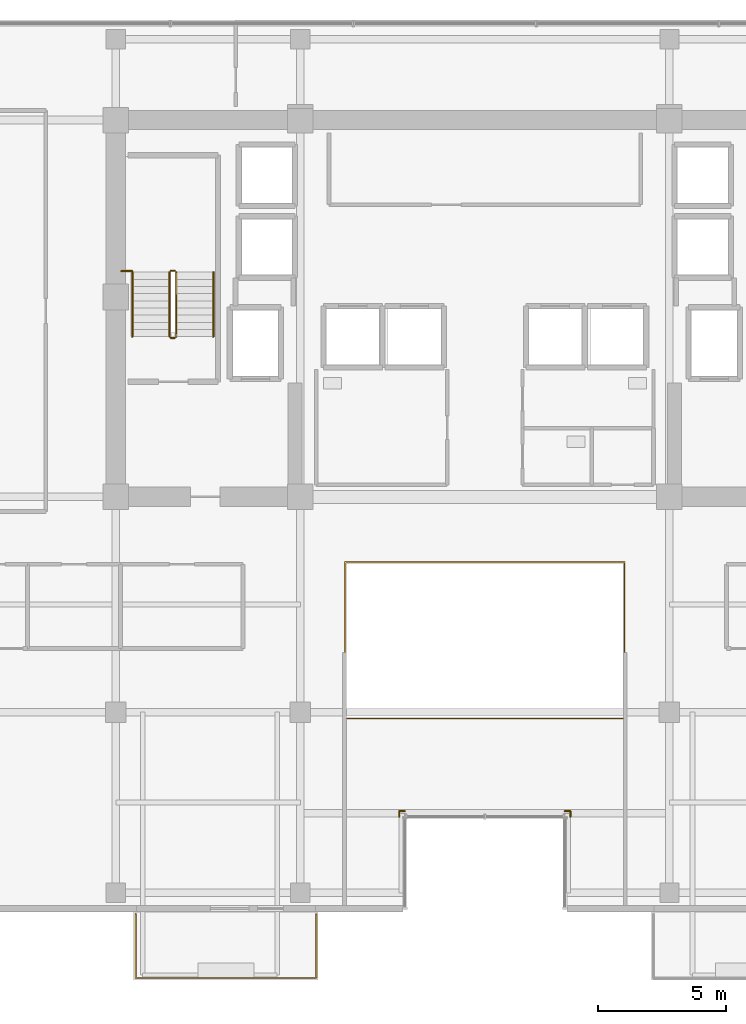
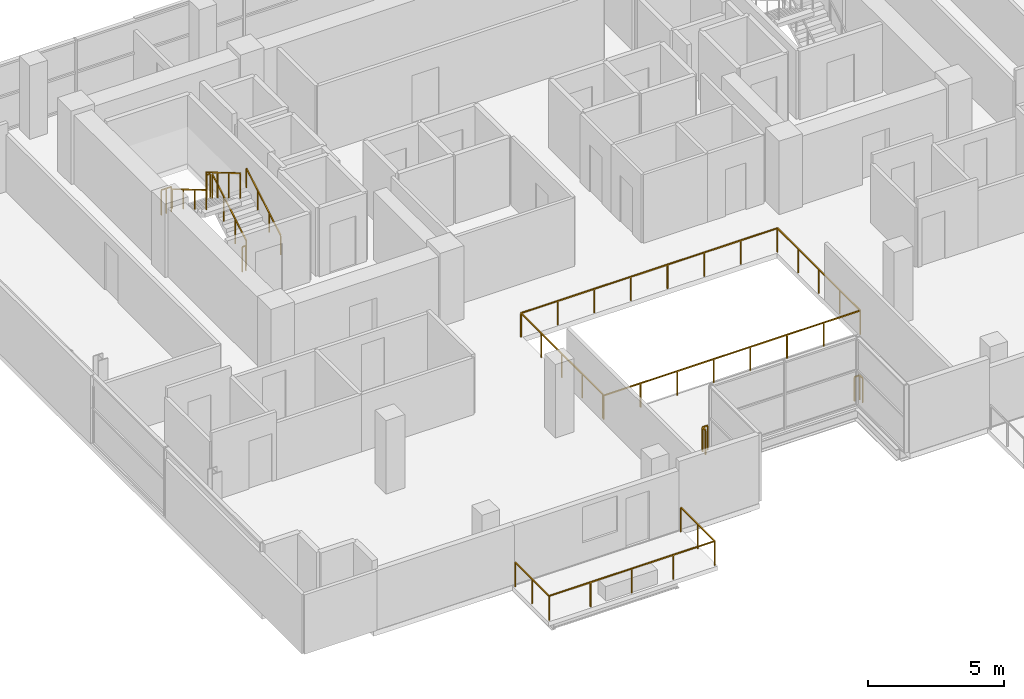
# One storey, part 19 of 21: 13 railings.
"""IFC4 building model written with IfcOpenShell, lengths in metres."""

from ifc_helpers import new_model, si_unit, direction, frame, origin, origin_2d, place, context, subcontext, project, spatial, rectangle, extrude, material, type_object, element, save


model = new_model("IFC4")

# Units and contexts
model_context = context("Model", 3, precision=1e-05, world=origin(), true_north=direction((0.0, 1.0)))
body_context = subcontext(model_context, "Body", "Model", "MODEL_VIEW")
ifc_project = project(units=[si_unit("LENGTHUNIT", "METRE"), si_unit("AREAUNIT", "SQUARE_METRE"), si_unit("VOLUMEUNIT", "CUBIC_METRE"), si_unit("PLANEANGLEUNIT", "RADIAN"), si_unit("MASSUNIT", "GRAM", prefix="KILO")], contexts=[model_context])

# Site, building, storey
site_placement = place(None, origin())
site = spatial("IfcSite", under=ifc_project, at=site_placement, CompositionType="ELEMENT")
building_placement = place(site_placement, origin())
building = spatial("IfcBuilding", under=site, at=building_placement, Name="Zarnakvel Exchange Tower", CompositionType="ELEMENT")
storey_placement = place(building_placement, frame((0.0, 0.0, 189.10009765625)))
storey = spatial("IfcBuildingStorey", under=building, at=storey_placement, Name="L53", CompositionType="ELEMENT", Elevation=189.10009765625)

# Railings
ifc_material_1 = material(Name="Architectural Bronze Anodised Aluminium", Category="aluminium")
railing_type_1 = type_object("IfcRailingType", Name="GR-02", PredefinedType="GUARDRAIL", material=ifc_material_1)
railing_1_placement = place(storey_placement, frame((-13.6201171875, -17.47998046875, -0.03515625)))
element("IfcRailing", 1, at=railing_1_placement, inside=storey, type_object=railing_type_1, Name="L53 Balcony Guardrail BAL-L53-SW", PredefinedType="GUARDRAIL", context=body_context, shape_type="SweptSolid", body=[
    extrude(rectangle(XDim=0.048095703125, YDim=0.048095703125, at=origin_2d()), frame((0.0, 0.0, 1.09619140625), z_axis=(0.0, -1.0, 0.0), x_axis=(1.0, 0.0, 0.0)), (0.0, 0.0, 1.0), 2.489990234375),
    extrude(rectangle(XDim=0.048095703125, YDim=0.048095703125, at=origin_2d()), frame((0.0, -2.489990234375, 1.09619140625), z_axis=(1.0, 0.0, 0.0), x_axis=(0.0, 1.0, 0.0)), (0.0, 0.0, 1.0), 7.0400390625),
    extrude(rectangle(XDim=0.048095703125, YDim=0.048095703125, at=origin_2d()), frame((7.0400390625, -2.489990234375, 1.09619140625), z_axis=(0.0, 1.0, 0.0), x_axis=(-1.0, 0.0, 0.0)), (0.0, 0.0, 1.0), 2.489990234375),
    extrude(rectangle(XDim=0.0419921875, YDim=0.0419921875, at=origin_2d()), origin(), (0.0, 0.0, 1.0), 1.072021484375),
    extrude(rectangle(XDim=0.0419921875, YDim=0.0419921875, at=origin_2d()), frame((0.0, -1.2451171875, 0.0)), (0.0, 0.0, 1.0), 1.072021484375),
    extrude(rectangle(XDim=0.0419921875, YDim=0.0419921875, at=origin_2d()), frame((0.0, -2.489990234375, 0.0)), (0.0, 0.0, 1.0), 1.072021484375),
    extrude(rectangle(XDim=0.0419921875, YDim=0.0419921875, at=origin_2d()), frame((1.760009765625, -2.489990234375, 0.0)), (0.0, 0.0, 1.0), 1.072021484375),
    extrude(rectangle(XDim=0.0419921875, YDim=0.0419921875, at=origin_2d()), frame((3.52001953125, -2.489990234375, 0.0)), (0.0, 0.0, 1.0), 1.072021484375),
    extrude(rectangle(XDim=0.0419921875, YDim=0.0419921875, at=origin_2d()), frame((5.280029296875, -2.489990234375, 0.0)), (0.0, 0.0, 1.0), 1.072021484375),
    extrude(rectangle(XDim=0.0419921875, YDim=0.0419921875, at=origin_2d()), frame((7.0400390625, -2.489990234375, 0.0)), (0.0, 0.0, 1.0), 1.072021484375),
    extrude(rectangle(XDim=0.0419921875, YDim=0.0419921875, at=origin_2d()), frame((7.0400390625, -1.2451171875, 0.0)), (0.0, 0.0, 1.0), 1.072021484375),
    extrude(rectangle(XDim=0.0419921875, YDim=0.0419921875, at=origin_2d()), frame((7.0400390625, 0.0, 0.0)), (0.0, 0.0, 1.0), 1.072021484375),
])
railing_2_placement = place(storey_placement, frame((3.340087890625, -13.679931640625, 0.0)))
element("IfcRailing", 2, at=railing_2_placement, inside=storey, type_object=railing_type_1, Name="L53 Corner Spandrel Balustrade #17", PredefinedType="GUARDRAIL", context=body_context, shape_type="SweptSolid", body=[
    extrude(rectangle(XDim=0.048095703125, YDim=0.048095703125, at=origin_2d()), frame((0.0, 0.0, 1.09619140625), z_axis=(0.0, 1.0, 0.0), x_axis=(-1.0, 0.0, 0.0)), (0.0, 0.0, 1.0), 0.219970703125),
    extrude(rectangle(XDim=0.0419921875, YDim=0.0419921875, at=origin_2d()), origin(), (0.0, 0.0, 1.0), 1.072021484375),
    extrude(rectangle(XDim=0.0419921875, YDim=0.0419921875, at=origin_2d()), frame((0.0, 0.219970703125, 0.0)), (0.0, 0.0, 1.0), 1.072021484375),
])
for number, where, name in (
    (3, (3.340087890625, -13.4599609375, 0.0), "L53 Corner Spandrel Balustrade #18"),
    (4, (-3.1201171875, -13.4599609375, 0.0), "L53 Corner Spandrel Balustrade #19"),
):
    element("IfcRailing", number, at=place(storey_placement, frame(where)), inside=storey, type_object=railing_type_1, Name=name, PredefinedType="GUARDRAIL", context=body_context, shape_type="SweptSolid", body=[
        extrude(rectangle(XDim=0.048095703125, YDim=0.048095703125, at=origin_2d()), frame((0.0, 0.0, 1.09619140625), z_axis=(-1.0, 0.0, 0.0), x_axis=(0.0, -1.0, 0.0)), (0.0, 0.0, 1.0), 0.219970703125),
        extrude(rectangle(XDim=0.0419921875, YDim=0.0419921875, at=origin_2d()), origin(), (0.0, 0.0, 1.0), 1.072021484375),
        extrude(rectangle(XDim=0.0419921875, YDim=0.0419921875, at=origin_2d()), frame((-0.219970703125, 0.0, 0.0)), (0.0, 0.0, 1.0), 1.072021484375),
    ])
railing_3_placement = place(storey_placement, frame((-3.340087890625, -13.4599609375, 0.0)))
element("IfcRailing", 5, at=railing_3_placement, inside=storey, type_object=railing_type_1, Name="L53 Corner Spandrel Balustrade #20", PredefinedType="GUARDRAIL", context=body_context, shape_type="SweptSolid", body=[
    extrude(rectangle(XDim=0.048095703125, YDim=0.048095703125, at=origin_2d()), frame((0.0, 0.0, 1.09619140625), z_axis=(0.0, -1.0, 0.0), x_axis=(1.0, 0.0, 0.0)), (0.0, 0.0, 1.0), 0.219970703125),
    extrude(rectangle(XDim=0.0419921875, YDim=0.0419921875, at=origin_2d()), origin(), (0.0, 0.0, 1.0), 1.072021484375),
    extrude(rectangle(XDim=0.0419921875, YDim=0.0419921875, at=origin_2d()), frame((0.0, -0.219970703125, 0.0)), (0.0, 0.0, 1.0), 1.072021484375),
])
railing_type_2 = type_object("IfcRailingType", Name="GR-03", PredefinedType="GUARDRAIL", material=ifc_material_1)
railing_4_placement = place(storey_placement, frame((-5.449951171875, -9.85009765625, 0.0)))
element("IfcRailing", 6, at=railing_4_placement, inside=storey, type_object=railing_type_2, Name="L53 Atrium Void Perimeter Balustrade", PredefinedType="GUARDRAIL", context=body_context, shape_type="SweptSolid", body=[
    extrude(rectangle(XDim=0.048095703125, YDim=0.048095703125, at=origin_2d()), frame((0.0, 0.0, 1.076171875), z_axis=(1.0, 0.0, 0.0), x_axis=(0.0, 1.0, 0.0)), (0.0, 0.0, 1.0), 10.89990234375),
    extrude(rectangle(XDim=0.048095703125, YDim=0.048095703125, at=origin_2d()), frame((10.89990234375, 0.0, 1.076171875), z_axis=(0.0, 1.0, 0.0), x_axis=(-1.0, 0.0, 0.0)), (0.0, 0.0, 1.0), 6.10009765625),
    extrude(rectangle(XDim=0.048095703125, YDim=0.048095703125, at=origin_2d()), frame((10.89990234375, 6.10009765625, 1.076171875), z_axis=(-1.0, 0.0, 0.0), x_axis=(0.0, -1.0, 0.0)), (0.0, 0.0, 1.0), 10.89990234375),
    extrude(rectangle(XDim=0.048095703125, YDim=0.048095703125, at=origin_2d()), frame((0.0, 6.10009765625, 1.076171875), z_axis=(0.0, -1.0, 0.0), x_axis=(1.0, 0.0, 0.0)), (0.0, 0.0, 1.0), 6.02001953125),
    extrude(rectangle(XDim=0.0419921875, YDim=0.0419921875, at=origin_2d()), origin(), (0.0, 0.0, 1.0), 1.052001953125),
    extrude(rectangle(XDim=0.0419921875, YDim=0.0419921875, at=origin_2d()), frame((1.55712890625, 0.0, 0.0)), (0.0, 0.0, 1.0), 1.052001953125),
    extrude(rectangle(XDim=0.0419921875, YDim=0.0419921875, at=origin_2d()), frame((3.1142578125, 0.0, 0.0)), (0.0, 0.0, 1.0), 1.052001953125),
    extrude(rectangle(XDim=0.0419921875, YDim=0.0419921875, at=origin_2d()), frame((4.67138671875, 0.0, 0.0)), (0.0, 0.0, 1.0), 1.052001953125),
    extrude(rectangle(XDim=0.0419921875, YDim=0.0419921875, at=origin_2d()), frame((6.228515625, 0.0, 0.0)), (0.0, 0.0, 1.0), 1.052001953125),
    extrude(rectangle(XDim=0.0419921875, YDim=0.0419921875, at=origin_2d()), frame((7.78564453125, 0.0, 0.0)), (0.0, 0.0, 1.0), 1.052001953125),
    extrude(rectangle(XDim=0.0419921875, YDim=0.0419921875, at=origin_2d()), frame((9.3427734375, 0.0, 0.0)), (0.0, 0.0, 1.0), 1.052001953125),
    extrude(rectangle(XDim=0.0419921875, YDim=0.0419921875, at=origin_2d()), frame((10.89990234375, 0.0, 0.0)), (0.0, 0.0, 1.0), 1.052001953125),
    extrude(rectangle(XDim=0.0419921875, YDim=0.0419921875, at=origin_2d()), frame((10.89990234375, 1.52490234375, 0.0)), (0.0, 0.0, 1.0), 1.052001953125),
    extrude(rectangle(XDim=0.0419921875, YDim=0.0419921875, at=origin_2d()), frame((10.89990234375, 3.050048828125, 0.0)), (0.0, 0.0, 1.0), 1.052001953125),
    extrude(rectangle(XDim=0.0419921875, YDim=0.0419921875, at=origin_2d()), frame((10.89990234375, 4.5751953125, 0.0)), (0.0, 0.0, 1.0), 1.052001953125),
    extrude(rectangle(XDim=0.0419921875, YDim=0.0419921875, at=origin_2d()), frame((10.89990234375, 6.10009765625, 0.0)), (0.0, 0.0, 1.0), 1.052001953125),
    extrude(rectangle(XDim=0.0419921875, YDim=0.0419921875, at=origin_2d()), frame((9.3427734375, 6.10009765625, 0.0)), (0.0, 0.0, 1.0), 1.052001953125),
    extrude(rectangle(XDim=0.0419921875, YDim=0.0419921875, at=origin_2d()), frame((7.78564453125, 6.10009765625, 0.0)), (0.0, 0.0, 1.0), 1.052001953125),
    extrude(rectangle(XDim=0.0419921875, YDim=0.0419921875, at=origin_2d()), frame((6.228515625, 6.10009765625, 0.0)), (0.0, 0.0, 1.0), 1.052001953125),
    extrude(rectangle(XDim=0.0419921875, YDim=0.0419921875, at=origin_2d()), frame((4.67138671875, 6.10009765625, 0.0)), (0.0, 0.0, 1.0), 1.052001953125),
    extrude(rectangle(XDim=0.0419921875, YDim=0.0419921875, at=origin_2d()), frame((3.1142578125, 6.10009765625, 0.0)), (0.0, 0.0, 1.0), 1.052001953125),
    extrude(rectangle(XDim=0.0419921875, YDim=0.0419921875, at=origin_2d()), frame((1.55712890625, 6.10009765625, 0.0)), (0.0, 0.0, 1.0), 1.052001953125),
    extrude(rectangle(XDim=0.0419921875, YDim=0.0419921875, at=origin_2d()), frame((0.0, 6.10009765625, 0.0)), (0.0, 0.0, 1.0), 1.052001953125),
    extrude(rectangle(XDim=0.0419921875, YDim=0.0419921875, at=origin_2d()), frame((0.0, 4.59521484375, 0.0)), (0.0, 0.0, 1.0), 1.052001953125),
    extrude(rectangle(XDim=0.0419921875, YDim=0.0419921875, at=origin_2d()), frame((0.0, 3.090087890625, 0.0)), (0.0, 0.0, 1.0), 1.052001953125),
    extrude(rectangle(XDim=0.0419921875, YDim=0.0419921875, at=origin_2d()), frame((0.0, 1.5849609375, 0.0)), (0.0, 0.0, 1.0), 1.052001953125),
    extrude(rectangle(XDim=0.0419921875, YDim=0.0419921875, at=origin_2d()), frame((0.0, 0.080078125, 0.0)), (0.0, 0.0, 1.0), 1.052001953125),
])
ifc_material_2 = material(Name="Brushed Stainless Steel", Category="steel")
railing_type_3 = type_object("IfcRailingType", Name="HR-01", PredefinedType="HANDRAIL", material=ifc_material_2)
railing_5_placement = place(storey_placement, frame((-10.590087890625, 5.050048828125, 0.164794921875)))
element("IfcRailing", 7, at=railing_5_placement, inside=storey, type_object=railing_type_3, Name="L53 ST-01 stair handrail 1", PredefinedType="HANDRAIL", context=body_context, shape_type="SweptSolid", body=[
    extrude(rectangle(XDim=0.048095703125, YDim=0.048095703125, at=origin_2d()), frame((0.0, 0.0, 0.8759765625), z_axis=(0.0, 0.86152411907, 0.507716645641), x_axis=(-1.0, 0.0, 0.0)), (0.0, 0.0, 1.0), 2.925048828125),
    extrude(rectangle(XDim=0.0419921875, YDim=0.0419921875, at=origin_2d()), origin(), (0.0, 0.0, 1.0), 0.851806640625),
    extrude(rectangle(XDim=0.0419921875, YDim=0.0419921875, at=origin_2d()), frame((0.0, 0.840087890625, 0.4951171875)), (0.0, 0.0, 1.0), 0.851806640625),
    extrude(rectangle(XDim=0.0419921875, YDim=0.0419921875, at=origin_2d()), frame((0.0, 1.679931640625, 0.989990234375)), (0.0, 0.0, 1.0), 0.851806640625),
    extrude(rectangle(XDim=0.0419921875, YDim=0.0419921875, at=origin_2d()), frame((0.0, 2.52001953125, 1.485107421875)), (0.0, 0.0, 1.0), 0.851806640625),
])
railing_6_placement = place(storey_placement, frame((-13.75, 7.570068359375, 1.81494140625)))
element("IfcRailing", 8, at=railing_6_placement, inside=storey, type_object=railing_type_3, Name="L53 ST-01 stair handrail 2", PredefinedType="HANDRAIL", context=body_context, shape_type="SweptSolid", body=[
    extrude(rectangle(XDim=0.048095703125, YDim=0.048095703125, at=origin_2d()), frame((0.0, 0.0, 0.8759765625), z_axis=(0.0, -0.861560626758, 0.507654692109), x_axis=(1.0, 0.0, 0.0)), (0.0, 0.0, 1.0), 2.925048828125),
    extrude(rectangle(XDim=0.0419921875, YDim=0.0419921875, at=origin_2d()), origin(), (0.0, 0.0, 1.0), 0.851806640625),
    extrude(rectangle(XDim=0.0419921875, YDim=0.0419921875, at=origin_2d()), frame((0.0, -0.840087890625, 0.494873046875)), (0.0, 0.0, 1.0), 0.851806640625),
    extrude(rectangle(XDim=0.0419921875, YDim=0.0419921875, at=origin_2d()), frame((0.0, -1.679931640625, 0.989990234375)), (0.0, 0.0, 1.0), 0.851806640625),
    extrude(rectangle(XDim=0.0419921875, YDim=0.0419921875, at=origin_2d()), frame((0.0, -2.52001953125, 1.48486328125)), (0.0, 0.0, 1.0), 0.851806640625),
])
railing_type_4 = type_object("IfcRailingType", Name="SG-01", PredefinedType="GUARDRAIL", material=ifc_material_1)
railing_7_placement = place(storey_placement, frame((-12.0400390625, 5.050048828125, 0.164794921875)))
element("IfcRailing", 9, at=railing_7_placement, inside=storey, type_object=railing_type_4, Name="L53 ST-01 stair guard 1", PredefinedType="GUARDRAIL", context=body_context, shape_type="SweptSolid", body=[
    extrude(rectangle(XDim=0.048095703125, YDim=0.048095703125, at=origin_2d()), frame((0.0, 0.0, 1.1259765625), z_axis=(0.0, 0.86152411907, 0.507716645641), x_axis=(-1.0, 0.0, 0.0)), (0.0, 0.0, 1.0), 2.925048828125),
    extrude(rectangle(XDim=0.0419921875, YDim=0.0419921875, at=origin_2d()), origin(), (0.0, 0.0, 1.0), 1.101806640625),
    extrude(rectangle(XDim=0.0419921875, YDim=0.0419921875, at=origin_2d()), frame((0.0, 0.840087890625, 0.4951171875)), (0.0, 0.0, 1.0), 1.101806640625),
    extrude(rectangle(XDim=0.0419921875, YDim=0.0419921875, at=origin_2d()), frame((0.0, 1.679931640625, 0.989990234375)), (0.0, 0.0, 1.0), 1.101806640625),
    extrude(rectangle(XDim=0.0419921875, YDim=0.0419921875, at=origin_2d()), frame((0.0, 2.52001953125, 1.485107421875)), (0.0, 0.0, 1.0), 1.101806640625),
])
railing_8_placement = place(storey_placement, frame((-12.090087890625, 7.6201171875, 1.64990234375)))
element("IfcRailing", 10, at=railing_8_placement, inside=storey, type_object=railing_type_4, Name="L53 ST-01 stair guard 2", PredefinedType="GUARDRAIL", context=body_context, shape_type="SweptSolid", body=[
    extrude(rectangle(XDim=0.048095703125, YDim=0.048095703125, at=origin_2d()), frame((0.0, 0.0, 1.1259765625), z_axis=(-1.0, 0.0, 0.0), x_axis=(0.0, -1.0, 0.0)), (0.0, 0.0, 1.0), 0.159912109375),
    extrude(rectangle(XDim=0.0419921875, YDim=0.0419921875, at=origin_2d()), origin(), (0.0, 0.0, 1.0), 1.101806640625),
    extrude(rectangle(XDim=0.0419921875, YDim=0.0419921875, at=origin_2d()), frame((-0.159912109375, 0.0, 0.0)), (0.0, 0.0, 1.0), 1.101806640625),
])
railing_9_placement = place(storey_placement, frame((-12.300048828125, 7.570068359375, 1.81494140625)))
element("IfcRailing", 11, at=railing_9_placement, inside=storey, type_object=railing_type_4, Name="L53 ST-01 stair guard 3", PredefinedType="GUARDRAIL", context=body_context, shape_type="SweptSolid", body=[
    extrude(rectangle(XDim=0.048095703125, YDim=0.048095703125, at=origin_2d()), frame((0.0, 0.0, 1.1259765625), z_axis=(0.0, -0.861560626758, 0.507654692109), x_axis=(1.0, 0.0, 0.0)), (0.0, 0.0, 1.0), 2.925048828125),
    extrude(rectangle(XDim=0.0419921875, YDim=0.0419921875, at=origin_2d()), origin(), (0.0, 0.0, 1.0), 1.101806640625),
    extrude(rectangle(XDim=0.0419921875, YDim=0.0419921875, at=origin_2d()), frame((0.0, -0.840087890625, 0.494873046875)), (0.0, 0.0, 1.0), 1.101806640625),
    extrude(rectangle(XDim=0.0419921875, YDim=0.0419921875, at=origin_2d()), frame((0.0, -1.679931640625, 0.989990234375)), (0.0, 0.0, 1.0), 1.101806640625),
    extrude(rectangle(XDim=0.0419921875, YDim=0.0419921875, at=origin_2d()), frame((0.0, -2.52001953125, 1.48486328125)), (0.0, 0.0, 1.0), 1.101806640625),
])
railing_10_placement = place(storey_placement, frame((-12.090087890625, 5.0, 0.0)))
element("IfcRailing", 12, at=railing_10_placement, inside=storey, type_object=railing_type_4, Name="L53 ST-01 stair guard 4", PredefinedType="GUARDRAIL", context=body_context, shape_type="SweptSolid", body=[
    extrude(rectangle(XDim=0.048095703125, YDim=0.048095703125, at=origin_2d()), frame((0.0, 0.0, 1.1259765625), z_axis=(-1.0, 0.0, 0.0), x_axis=(0.0, -1.0, 0.0)), (0.0, 0.0, 1.0), 0.159912109375),
    extrude(rectangle(XDim=0.0419921875, YDim=0.0419921875, at=origin_2d()), origin(), (0.0, 0.0, 1.0), 1.101806640625),
    extrude(rectangle(XDim=0.0419921875, YDim=0.0419921875, at=origin_2d()), frame((-0.159912109375, 0.0, 0.0)), (0.0, 0.0, 1.0), 1.101806640625),
])
railing_11_placement = place(storey_placement, frame((-14.179931640625, 7.610107421875, 1.64990234375)))
element("IfcRailing", 13, at=railing_11_placement, inside=storey, type_object=railing_type_4, Name="L53 ST-01 Landing Slot Guardrail", PredefinedType="GUARDRAIL", context=body_context, shape_type="SweptSolid", body=[
    extrude(rectangle(XDim=0.048095703125, YDim=0.048095703125, at=origin_2d()), frame((0.0, 0.0, 1.1259765625), z_axis=(1.0, 0.0, 0.0), x_axis=(0.0, 1.0, 0.0)), (0.0, 0.0, 1.0), 0.429931640625),
    extrude(rectangle(XDim=0.0419921875, YDim=0.0419921875, at=origin_2d()), origin(), (0.0, 0.0, 1.0), 1.101806640625),
    extrude(rectangle(XDim=0.0419921875, YDim=0.0419921875, at=origin_2d()), frame((0.21484375, 0.0, 0.0)), (0.0, 0.0, 1.0), 1.101806640625),
    extrude(rectangle(XDim=0.0419921875, YDim=0.0419921875, at=origin_2d()), frame((0.429931640625, 0.0, 0.0)), (0.0, 0.0, 1.0), 1.101806640625),
])

save(model, "model.ifc")
